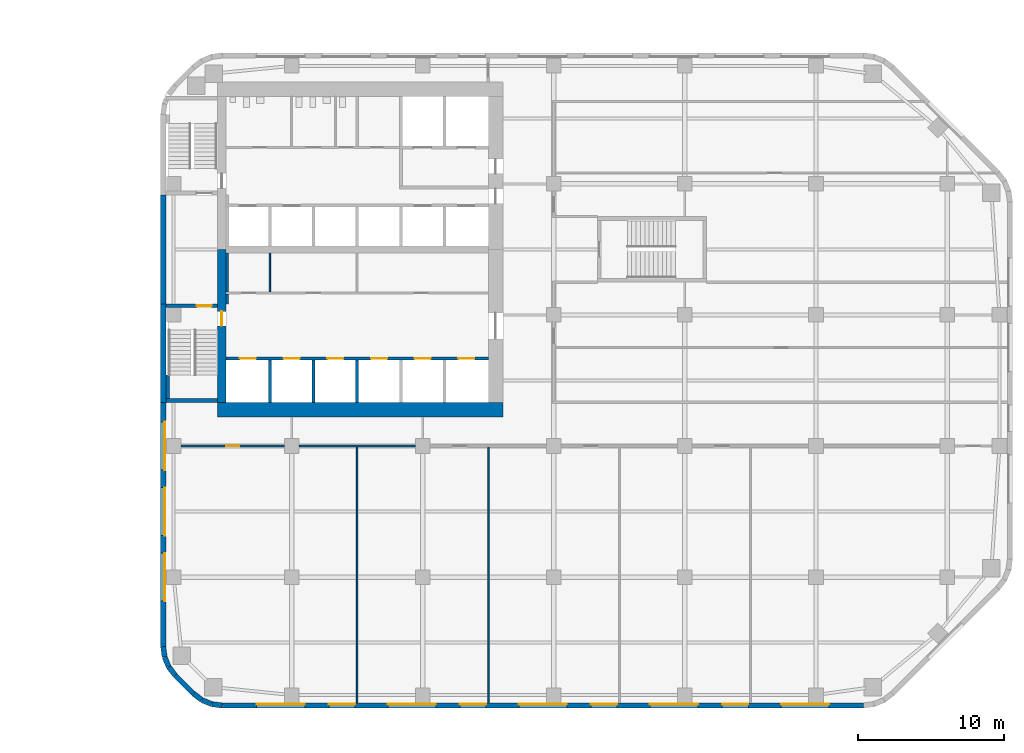
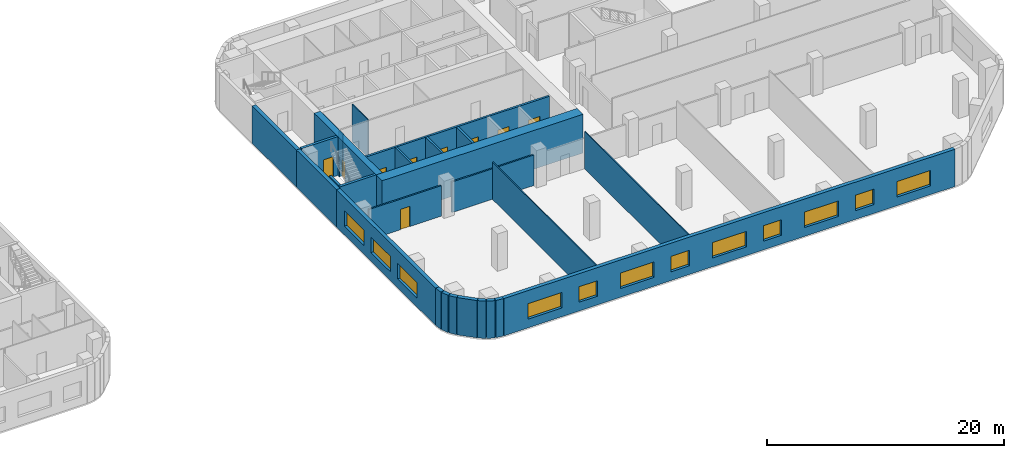
# One storey, part 8 of 15: 27 walls, 12 windows, 9 doors, 21 openings.
"""IFC4 building model written with IfcOpenShell, lengths in metres."""

from ifc_helpers import new_model, si_unit, direction, frame, frame_2d, origin, place, context, subcontext, project, spatial, rectangle, extrude, material, layer, layer_set, type_object, element, fill, save


model = new_model("IFC4")

# Units and contexts
model_context = context("Model", 3, precision=1e-05, world=origin(), true_north=direction((0.0, 1.0)))
body_context = subcontext(model_context, "Body", "Model", "MODEL_VIEW")
ifc_project = project(units=[si_unit("LENGTHUNIT", "METRE"), si_unit("AREAUNIT", "SQUARE_METRE"), si_unit("VOLUMEUNIT", "CUBIC_METRE"), si_unit("PLANEANGLEUNIT", "RADIAN"), si_unit("MASSUNIT", "GRAM", prefix="KILO")], contexts=[model_context])

# Site, building, storey
site_placement = place(None, origin())
site = spatial("IfcSite", under=ifc_project, at=site_placement, CompositionType="ELEMENT")
building_placement = place(site_placement, origin())
building = spatial("IfcBuilding", under=site, at=building_placement, Name="Cinnabar Reach Civic Tower", CompositionType="ELEMENT")
storey_placement = place(building_placement, frame((0.0, 0.0, 63.0)))
storey = spatial("IfcBuildingStorey", under=building, at=storey_placement, Name="L14", CompositionType="ELEMENT", Elevation=63.0)

# Walls
ifc_material_1 = material(Name="Facing brick with insulated backing", Category="masonry")
ifc_layer_1 = layer(ifc_material_1, 0.36)
ifc_layer_set_1 = layer_set([ifc_layer_1], Name="Brick corner wall")
wall_type_1 = type_object("IfcWallType", Name="Brick corner wall", PredefinedType="STANDARD", material=ifc_layer_set_1)
for number, where, z_axis, x_axis, name in (
    (1, (0.183, 4.2314, 0.0), (0.0, 0.0, 1.0), (0.13055608231, -0.99144092581, 0.0), "Brick corner wall"),
    (2, (0.2819, 3.5027, 0.0), (0.0, 0.0, 1.0), (0.382702709855, -0.923871547278, 0.0), "Brick corner wall"),
):
    element("IfcWall", number, at=place(storey_placement, frame(where, z_axis=z_axis, x_axis=x_axis)), inside=storey, type_object=wall_type_1, Name=name, PredefinedType="STANDARD", context=body_context, shape_type="SweptSolid", body=[
        extrude(rectangle(XDim=0.7131, YDim=0.36, at=frame_2d((0.3565, 0.0))), origin(), (0.0, 0.0, 1.0), 3.85),
    ])
for number, where, z_axis, x_axis, name in (
    (3, (0.566, 2.8245, 0.0), (0.0, 0.0, 1.0), (0.608802368033, -0.793321924995, 0.0), "Brick corner wall"),
    (4, (2.2587, 1.0002, 0.0), (0.0, 0.0, 1.0), (0.793321924995, -0.608802368033, 0.0), "Brick corner wall"),
):
    element("IfcWall", number, at=place(storey_placement, frame(where, z_axis=z_axis, x_axis=x_axis)), inside=storey, type_object=wall_type_1, Name=name, PredefinedType="STANDARD", context=body_context, shape_type="SweptSolid", body=[
        extrude(rectangle(XDim=0.7132, YDim=0.36, at=frame_2d((0.3566, 0.0))), origin(), (0.0, 0.0, 1.0), 3.85),
    ])
for number, where, z_axis, x_axis, name in (
    (5, (2.8439, 0.5548, 0.0), (0.0, 0.0, 1.0), (0.923871547278, -0.382702709855, 0.0), "Brick corner wall"),
    (6, (3.5244, 0.2761, 0.0), (0.0, 0.0, 1.0), (0.99144092581, -0.13055608231, 0.0), "Brick corner wall"),
):
    element("IfcWall", number, at=place(storey_placement, frame(where, z_axis=z_axis, x_axis=x_axis)), inside=storey, type_object=wall_type_1, Name=name, PredefinedType="STANDARD", context=body_context, shape_type="SweptSolid", body=[
        extrude(rectangle(XDim=0.7131, YDim=0.36, at=frame_2d((0.3565, 0.0))), origin(), (0.0, 0.0, 1.0), 3.85),
    ])

# Wall, openings, windows
ifc_layer_2 = layer(ifc_material_1, 0.36)
ifc_layer_set_2 = layer_set([ifc_layer_2], Name="Brick pier and spandrel wall")
wall_type_2 = type_object("IfcWallType", Name="Brick pier and spandrel wall", PredefinedType="STANDARD", material=ifc_layer_set_2)
wall_1_placement = place(storey_placement, frame((4.2426, 0.18, 0.0), z_axis=(0.0, 0.0, 1.0), x_axis=(1.0, 0.0, 0.0)))
wall_1 = element("IfcWall", 7, at=wall_1_placement, inside=storey, type_object=wall_type_2, Name="Brick facade wall", PredefinedType="STANDARD", context=body_context, shape_type="SweptSolid", body=[
    extrude(rectangle(XDim=44.0148, YDim=0.36, at=frame_2d((22.0074, 0.0))), origin(), (0.0, 0.0, 1.0), 3.85),
])
opening_1_placement = place(wall_1_placement, frame((2.3574, 0.0, 0.9)))
opening_1 = element("IfcOpeningElement", 8, at=opening_1_placement, cuts=wall_1, Name="Opening W1240", PredefinedType="OPENING", context=body_context, shape_type="SweptSolid", body=[
    extrude(rectangle(XDim=3.3, YDim=1.6, at=frame_2d((1.65, 0.8))), frame((0.0, 0.19, 0.0), z_axis=(0.0, -1.0, 0.0), x_axis=(1.0, 0.0, 0.0)), (0.0, 0.0, 1.0), 0.38),
])
opening_2_placement = place(wall_1_placement, frame((7.3074, 0.0, 0.9)))
opening_2 = element("IfcOpeningElement", 9, at=opening_2_placement, cuts=wall_1, Name="Opening W1241", PredefinedType="OPENING", context=body_context, shape_type="SweptSolid", body=[
    extrude(rectangle(XDim=1.8, YDim=1.6, at=frame_2d((0.9, 0.8))), frame((0.0, 0.19, 0.0), z_axis=(0.0, -1.0, 0.0), x_axis=(1.0, 0.0, 0.0)), (0.0, 0.0, 1.0), 0.38),
])
opening_3_placement = place(wall_1_placement, frame((11.3574, 0.0, 0.9)))
opening_3 = element("IfcOpeningElement", 10, at=opening_3_placement, cuts=wall_1, Name="Opening W1242", PredefinedType="OPENING", context=body_context, shape_type="SweptSolid", body=[
    extrude(rectangle(XDim=3.3, YDim=1.6, at=frame_2d((1.65, 0.8))), frame((0.0, 0.19, 0.0), z_axis=(0.0, -1.0, 0.0), x_axis=(1.0, 0.0, 0.0)), (0.0, 0.0, 1.0), 0.38),
])
opening_4_placement = place(wall_1_placement, frame((16.3074, 0.0, 0.9)))
opening_4 = element("IfcOpeningElement", 11, at=opening_4_placement, cuts=wall_1, Name="Opening W1243", PredefinedType="OPENING", context=body_context, shape_type="SweptSolid", body=[
    extrude(rectangle(XDim=1.8, YDim=1.6, at=frame_2d((0.9, 0.8))), frame((0.0, 0.19, 0.0), z_axis=(0.0, -1.0, 0.0), x_axis=(1.0, 0.0, 0.0)), (0.0, 0.0, 1.0), 0.38),
])
opening_5_placement = place(wall_1_placement, frame((20.3574, 0.0, 0.9)))
opening_5 = element("IfcOpeningElement", 12, at=opening_5_placement, cuts=wall_1, Name="Opening W1244", PredefinedType="OPENING", context=body_context, shape_type="SweptSolid", body=[
    extrude(rectangle(XDim=3.3, YDim=1.6, at=frame_2d((1.65, 0.8))), frame((0.0, 0.19, 0.0), z_axis=(0.0, -1.0, 0.0), x_axis=(1.0, 0.0, 0.0)), (0.0, 0.0, 1.0), 0.38),
])
opening_6_placement = place(wall_1_placement, frame((25.3074, 0.0, 0.9)))
opening_6 = element("IfcOpeningElement", 13, at=opening_6_placement, cuts=wall_1, Name="Opening W1245", PredefinedType="OPENING", context=body_context, shape_type="SweptSolid", body=[
    extrude(rectangle(XDim=1.8, YDim=1.6, at=frame_2d((0.9, 0.8))), frame((0.0, 0.19, 0.0), z_axis=(0.0, -1.0, 0.0), x_axis=(1.0, 0.0, 0.0)), (0.0, 0.0, 1.0), 0.38),
])
opening_7_placement = place(wall_1_placement, frame((29.3574, 0.0, 0.9)))
opening_7 = element("IfcOpeningElement", 14, at=opening_7_placement, cuts=wall_1, Name="Opening W1246", PredefinedType="OPENING", context=body_context, shape_type="SweptSolid", body=[
    extrude(rectangle(XDim=3.3, YDim=1.6, at=frame_2d((1.65, 0.8))), frame((0.0, 0.19, 0.0), z_axis=(0.0, -1.0, 0.0), x_axis=(1.0, 0.0, 0.0)), (0.0, 0.0, 1.0), 0.38),
])
opening_8_placement = place(wall_1_placement, frame((34.3074, 0.0, 0.9)))
opening_8 = element("IfcOpeningElement", 15, at=opening_8_placement, cuts=wall_1, Name="Opening W1247", PredefinedType="OPENING", context=body_context, shape_type="SweptSolid", body=[
    extrude(rectangle(XDim=1.8, YDim=1.6, at=frame_2d((0.9, 0.8))), frame((0.0, 0.19, 0.0), z_axis=(0.0, -1.0, 0.0), x_axis=(1.0, 0.0, 0.0)), (0.0, 0.0, 1.0), 0.38),
])
opening_9_placement = place(wall_1_placement, frame((38.3574, 0.0, 0.9)))
opening_9 = element("IfcOpeningElement", 16, at=opening_9_placement, cuts=wall_1, Name="Opening W1248", PredefinedType="OPENING", context=body_context, shape_type="SweptSolid", body=[
    extrude(rectangle(XDim=3.3, YDim=1.6, at=frame_2d((1.65, 0.8))), frame((0.0, 0.19, 0.0), z_axis=(0.0, -1.0, 0.0), x_axis=(1.0, 0.0, 0.0)), (0.0, 0.0, 1.0), 0.38),
])
ifc_material_2 = material(Name="Clear double glazing in aluminium frame", Category="aluminium")
window_type_1 = type_object("IfcWindowType", Name="Deep-set window A", PartitioningType="SINGLE_PANEL", PredefinedType="WINDOW", material=ifc_material_2)
window_1_placement = place(opening_1_placement, origin())
window_1 = element("IfcWindow", 17, at=window_1_placement, inside=storey, type_object=window_type_1, Name="Window south face", OverallHeight=1.6, OverallWidth=3.3, PartitioningType="SINGLE_PANEL", PredefinedType="WINDOW", context=body_context, shape_type="SweptSolid", body=[
    extrude(rectangle(XDim=3.3, YDim=1.6, at=frame_2d((1.65, 0.8))), frame((0.0, 0.13, 0.0), z_axis=(0.0, -1.0, 0.0), x_axis=(1.0, 0.0, 0.0)), (0.0, 0.0, 1.0), 0.06),
])
fill(opening_1, window_1)
window_2_placement = place(opening_3_placement, origin())
window_2 = element("IfcWindow", 18, at=window_2_placement, inside=storey, type_object=window_type_1, Name="Window south face", OverallHeight=1.6, OverallWidth=3.3, PartitioningType="SINGLE_PANEL", PredefinedType="WINDOW", context=body_context, shape_type="SweptSolid", body=[
    extrude(rectangle(XDim=3.3, YDim=1.6, at=frame_2d((1.65, 0.8))), frame((0.0, 0.13, 0.0), z_axis=(0.0, -1.0, 0.0), x_axis=(1.0, 0.0, 0.0)), (0.0, 0.0, 1.0), 0.06),
])
fill(opening_3, window_2)
window_3_placement = place(opening_5_placement, origin())
window_3 = element("IfcWindow", 19, at=window_3_placement, inside=storey, type_object=window_type_1, Name="Window south face", OverallHeight=1.6, OverallWidth=3.3, PartitioningType="SINGLE_PANEL", PredefinedType="WINDOW", context=body_context, shape_type="SweptSolid", body=[
    extrude(rectangle(XDim=3.3, YDim=1.6, at=frame_2d((1.65, 0.8))), frame((0.0, 0.13, 0.0), z_axis=(0.0, -1.0, 0.0), x_axis=(1.0, 0.0, 0.0)), (0.0, 0.0, 1.0), 0.06),
])
fill(opening_5, window_3)
window_4_placement = place(opening_7_placement, origin())
window_4 = element("IfcWindow", 20, at=window_4_placement, inside=storey, type_object=window_type_1, Name="Window south face", OverallHeight=1.6, OverallWidth=3.3, PartitioningType="SINGLE_PANEL", PredefinedType="WINDOW", context=body_context, shape_type="SweptSolid", body=[
    extrude(rectangle(XDim=3.3, YDim=1.6, at=frame_2d((1.65, 0.8))), frame((0.0, 0.13, 0.0), z_axis=(0.0, -1.0, 0.0), x_axis=(1.0, 0.0, 0.0)), (0.0, 0.0, 1.0), 0.06),
])
fill(opening_7, window_4)
window_5_placement = place(opening_9_placement, origin())
window_5 = element("IfcWindow", 21, at=window_5_placement, inside=storey, type_object=window_type_1, Name="Window south face", OverallHeight=1.6, OverallWidth=3.3, PartitioningType="SINGLE_PANEL", PredefinedType="WINDOW", context=body_context, shape_type="SweptSolid", body=[
    extrude(rectangle(XDim=3.3, YDim=1.6, at=frame_2d((1.65, 0.8))), frame((0.0, 0.13, 0.0), z_axis=(0.0, -1.0, 0.0), x_axis=(1.0, 0.0, 0.0)), (0.0, 0.0, 1.0), 0.06),
])
fill(opening_9, window_5)
window_type_2 = type_object("IfcWindowType", Name="Deep-set window D", PartitioningType="SINGLE_PANEL", PredefinedType="WINDOW", material=ifc_material_2)
window_6_placement = place(opening_2_placement, origin())
window_6 = element("IfcWindow", 22, at=window_6_placement, inside=storey, type_object=window_type_2, Name="Window south face", OverallHeight=1.6, OverallWidth=1.8, PartitioningType="SINGLE_PANEL", PredefinedType="WINDOW", context=body_context, shape_type="SweptSolid", body=[
    extrude(rectangle(XDim=1.8, YDim=1.6, at=frame_2d((0.9, 0.8))), frame((0.0, 0.13, 0.0), z_axis=(0.0, -1.0, 0.0), x_axis=(1.0, 0.0, 0.0)), (0.0, 0.0, 1.0), 0.06),
])
fill(opening_2, window_6)
window_7_placement = place(opening_4_placement, origin())
window_7 = element("IfcWindow", 23, at=window_7_placement, inside=storey, type_object=window_type_2, Name="Window south face", OverallHeight=1.6, OverallWidth=1.8, PartitioningType="SINGLE_PANEL", PredefinedType="WINDOW", context=body_context, shape_type="SweptSolid", body=[
    extrude(rectangle(XDim=1.8, YDim=1.6, at=frame_2d((0.9, 0.8))), frame((0.0, 0.13, 0.0), z_axis=(0.0, -1.0, 0.0), x_axis=(1.0, 0.0, 0.0)), (0.0, 0.0, 1.0), 0.06),
])
fill(opening_4, window_7)
window_8_placement = place(opening_6_placement, origin())
window_8 = element("IfcWindow", 24, at=window_8_placement, inside=storey, type_object=window_type_2, Name="Window south face", OverallHeight=1.6, OverallWidth=1.8, PartitioningType="SINGLE_PANEL", PredefinedType="WINDOW", context=body_context, shape_type="SweptSolid", body=[
    extrude(rectangle(XDim=1.8, YDim=1.6, at=frame_2d((0.9, 0.8))), frame((0.0, 0.13, 0.0), z_axis=(0.0, -1.0, 0.0), x_axis=(1.0, 0.0, 0.0)), (0.0, 0.0, 1.0), 0.06),
])
fill(opening_6, window_8)
window_9_placement = place(opening_8_placement, origin())
window_9 = element("IfcWindow", 25, at=window_9_placement, inside=storey, type_object=window_type_2, Name="Window south face", OverallHeight=1.6, OverallWidth=1.8, PartitioningType="SINGLE_PANEL", PredefinedType="WINDOW", context=body_context, shape_type="SweptSolid", body=[
    extrude(rectangle(XDim=1.8, YDim=1.6, at=frame_2d((0.9, 0.8))), frame((0.0, 0.13, 0.0), z_axis=(0.0, -1.0, 0.0), x_axis=(1.0, 0.0, 0.0)), (0.0, 0.0, 1.0), 0.06),
])
fill(opening_8, window_9)

# Walls
wall_2_placement = place(storey_placement, frame((0.18, 35.25, 0.0), z_axis=(0.0, 0.0, 1.0), x_axis=(0.0, -1.0, 0.0)))
element("IfcWall", 26, at=wall_2_placement, inside=storey, type_object=wall_type_2, Name="Brick facade wall", PredefinedType="STANDARD", context=body_context, shape_type="SweptSolid", body=[
    extrude(rectangle(XDim=7.5, YDim=0.36, at=frame_2d((3.75, 0.0))), origin(), (0.0, 0.0, 1.0), 3.85),
])
wall_3_placement = place(storey_placement, frame((0.18, 27.75, 0.0), z_axis=(0.0, 0.0, 1.0), x_axis=(0.0, -1.0, 0.0)))
element("IfcWall", 27, at=wall_3_placement, inside=storey, type_object=wall_type_2, Name="Brick facade wall", PredefinedType="STANDARD", context=body_context, shape_type="SweptSolid", body=[
    extrude(rectangle(XDim=6.75, YDim=0.36, at=frame_2d((3.375, 0.0))), origin(), (0.0, 0.0, 1.0), 3.85),
])

# Wall, openings, windows
wall_4_placement = place(storey_placement, frame((0.18, 21.0, 0.0), z_axis=(0.0, 0.0, 1.0), x_axis=(0.0, -1.0, 0.0)))
wall_4 = element("IfcWall", 28, at=wall_4_placement, inside=storey, type_object=wall_type_2, Name="Brick facade wall", PredefinedType="STANDARD", context=body_context, shape_type="SweptSolid", body=[
    extrude(rectangle(XDim=16.7574, YDim=0.36, at=frame_2d((8.3787, 0.0))), origin(), (0.0, 0.0, 1.0), 3.85),
])
opening_10_placement = place(wall_4_placement, frame((1.35, 0.0, 0.9)))
opening_10 = element("IfcOpeningElement", 29, at=opening_10_placement, cuts=wall_4, Name="Opening W1264", PredefinedType="OPENING", context=body_context, shape_type="SweptSolid", body=[
    extrude(rectangle(XDim=3.3, YDim=1.6, at=frame_2d((1.65, 0.8))), frame((0.0, 0.19, 0.0), z_axis=(0.0, -1.0, 0.0), x_axis=(1.0, 0.0, 0.0)), (0.0, 0.0, 1.0), 0.38),
])
opening_11_placement = place(wall_4_placement, frame((5.85, 0.0, 0.9)))
opening_11 = element("IfcOpeningElement", 30, at=opening_11_placement, cuts=wall_4, Name="Opening W1265", PredefinedType="OPENING", context=body_context, shape_type="SweptSolid", body=[
    extrude(rectangle(XDim=3.3, YDim=1.6, at=frame_2d((1.65, 0.8))), frame((0.0, 0.19, 0.0), z_axis=(0.0, -1.0, 0.0), x_axis=(1.0, 0.0, 0.0)), (0.0, 0.0, 1.0), 0.38),
])
opening_12_placement = place(wall_4_placement, frame((10.35, 0.0, 0.9)))
opening_12 = element("IfcOpeningElement", 31, at=opening_12_placement, cuts=wall_4, Name="Opening W1266", PredefinedType="OPENING", context=body_context, shape_type="SweptSolid", body=[
    extrude(rectangle(XDim=3.3, YDim=1.6, at=frame_2d((1.65, 0.8))), frame((0.0, 0.19, 0.0), z_axis=(0.0, -1.0, 0.0), x_axis=(1.0, 0.0, 0.0)), (0.0, 0.0, 1.0), 0.38),
])
window_10_placement = place(opening_10_placement, origin())
window_10 = element("IfcWindow", 32, at=window_10_placement, inside=storey, type_object=window_type_1, Name="Window west face", OverallHeight=1.6, OverallWidth=3.3, PartitioningType="SINGLE_PANEL", PredefinedType="WINDOW", context=body_context, shape_type="SweptSolid", body=[
    extrude(rectangle(XDim=3.3, YDim=1.6, at=frame_2d((1.65, 0.8))), frame((0.0, 0.13, 0.0), z_axis=(0.0, -1.0, 0.0), x_axis=(1.0, 0.0, 0.0)), (0.0, 0.0, 1.0), 0.06),
])
fill(opening_10, window_10)
window_11_placement = place(opening_11_placement, origin())
window_11 = element("IfcWindow", 33, at=window_11_placement, inside=storey, type_object=window_type_1, Name="Window west face", OverallHeight=1.6, OverallWidth=3.3, PartitioningType="SINGLE_PANEL", PredefinedType="WINDOW", context=body_context, shape_type="SweptSolid", body=[
    extrude(rectangle(XDim=3.3, YDim=1.6, at=frame_2d((1.65, 0.8))), frame((0.0, 0.13, 0.0), z_axis=(0.0, -1.0, 0.0), x_axis=(1.0, 0.0, 0.0)), (0.0, 0.0, 1.0), 0.06),
])
fill(opening_11, window_11)
window_12_placement = place(opening_12_placement, origin())
window_12 = element("IfcWindow", 34, at=window_12_placement, inside=storey, type_object=window_type_1, Name="Window west face", OverallHeight=1.6, OverallWidth=3.3, PartitioningType="SINGLE_PANEL", PredefinedType="WINDOW", context=body_context, shape_type="SweptSolid", body=[
    extrude(rectangle(XDim=3.3, YDim=1.6, at=frame_2d((1.65, 0.8))), frame((0.0, 0.13, 0.0), z_axis=(0.0, -1.0, 0.0), x_axis=(1.0, 0.0, 0.0)), (0.0, 0.0, 1.0), 0.06),
])
fill(opening_12, window_12)

# Walls
wall_5_placement = place(storey_placement, frame((1.006, 2.2486, 0.0), z_axis=(0.0, 0.0, 1.0), x_axis=(0.707106781187, -0.707106781187, 0.0)))
element("IfcWall", 35, at=wall_5_placement, inside=storey, type_object=wall_type_2, Name="Brick facade wall", PredefinedType="STANDARD", context=body_context, shape_type="SweptSolid", body=[
    extrude(rectangle(XDim=1.7573, YDim=0.36, at=frame_2d((0.8787, 0.0))), origin(), (0.0, 0.0, 1.0), 3.85),
])
ifc_material_3 = material(Name="Concrete C70", Category="concrete")
ifc_layer_3 = layer(ifc_material_3, 1.0)
ifc_layer_set_3 = layer_set([ifc_layer_3], Name="Core wall 1000 EI 180")
wall_type_3 = type_object("IfcWallType", Name="Core wall 1000 EI 180", PredefinedType="SOLIDWALL", material=ifc_layer_set_3)
wall_6_placement = place(storey_placement, frame((3.9, 20.5, 0.0), z_axis=(0.0, 0.0, 1.0), x_axis=(1.0, 0.0, 0.0)))
element("IfcWall", 36, at=wall_6_placement, inside=storey, type_object=wall_type_3, Name="Core wall T1 L14 S", PredefinedType="SOLIDWALL", context=body_context, shape_type="SweptSolid", body=[
    extrude(rectangle(XDim=19.6, YDim=1.0, at=frame_2d((9.8, 0.0))), origin(), (0.0, 0.0, 1.0), 4.0),
])

# Wall, opening, door
ifc_layer_4 = layer(ifc_material_3, 0.6)
ifc_layer_set_4 = layer_set([ifc_layer_4], Name="Core wall 600 EI 180")
wall_type_4 = type_object("IfcWallType", Name="Core wall 600 EI 180", PredefinedType="SOLIDWALL", material=ifc_layer_set_4)
wall_7_placement = place(storey_placement, frame((4.2, 31.5, 0.0), z_axis=(0.0, 0.0, 1.0), x_axis=(0.0, -1.0, 0.0)))
wall_7 = element("IfcWall", 37, at=wall_7_placement, inside=storey, type_object=wall_type_4, Name="Core wall T1 L14 W2", PredefinedType="SOLIDWALL", context=body_context, shape_type="SweptSolid", body=[
    extrude(rectangle(XDim=10.5, YDim=0.6, at=frame_2d((5.25, 0.0))), origin(), (0.0, 0.0, 1.0), 4.0),
])
opening_13_placement = place(wall_7_placement, frame((4.25, 0.0, 0.0)))
opening_13 = element("IfcOpeningElement", 38, at=opening_13_placement, cuts=wall_7, Name="Opening D3558", PredefinedType="OPENING", context=body_context, shape_type="SweptSolid", body=[
    extrude(rectangle(XDim=1.0, YDim=2.1, at=frame_2d((0.5, 1.05))), frame((0.0, 0.31, 0.0), z_axis=(0.0, -1.0, 0.0), x_axis=(1.0, 0.0, 0.0)), (0.0, 0.0, 1.0), 0.62),
])
ifc_material_4 = material(Name="Timber door leaf in steel frame", Category="steel")
door_type_1 = type_object("IfcDoorType", Name="Stair door 1000 x 2100 T1", OperationType="SINGLE_SWING_LEFT", PredefinedType="DOOR", material=ifc_material_4)
door_1_placement = place(opening_13_placement, frame((1.0, 0.0, 0.0), z_axis=(0.0, 0.0, 1.0), x_axis=(-1.0, 0.0, 0.0)))
door_1 = element("IfcDoor", 39, at=door_1_placement, inside=storey, type_object=door_type_1, Name="Door D3558", OperationType="SINGLE_SWING_RIGHT", OverallHeight=2.1, OverallWidth=1.0, PredefinedType="DOOR", context=body_context, shape_type="SweptSolid", body=[
    extrude(rectangle(XDim=1.0, YDim=2.1, at=frame_2d((0.5, 1.05))), frame((0.0, 0.025, 0.0), z_axis=(0.0, -1.0, 0.0), x_axis=(1.0, 0.0, 0.0)), (0.0, 0.0, 1.0), 0.05),
])
fill(opening_13, door_1)

# Wall
ifc_material_5 = material(Name="Gypsum board on steel studs, double layer", Category="steel")
ifc_layer_5 = layer(ifc_material_5, 0.15)
ifc_layer_set_5 = layer_set([ifc_layer_5], Name="Corridor wall 150 T1")
wall_type_5 = type_object("IfcWallType", Name="Corridor wall 150 T1", PredefinedType="PARTITIONING", material=ifc_layer_set_5)
wall_8_placement = place(storey_placement, frame((9.5, 18.0, 0.0), z_axis=(0.0, 0.0, 1.0), x_axis=(1.0, 0.0, 0.0)))
element("IfcWall", 40, at=wall_8_placement, inside=storey, type_object=wall_type_5, Name="Corridor wall 24", PredefinedType="PARTITIONING", context=body_context, shape_type="SweptSolid", body=[
    extrude(rectangle(XDim=8.0, YDim=0.15, at=frame_2d((4.0, 0.0))), origin(), (0.0, 0.0, 1.0), 3.15),
])

# Wall, opening, door
wall_9_placement = place(storey_placement, frame((1.4, 18.0, 0.0), z_axis=(0.0, 0.0, 1.0), x_axis=(1.0, 0.0, 0.0)))
wall_9 = element("IfcWall", 41, at=wall_9_placement, inside=storey, type_object=wall_type_5, Name="Corridor wall 25", PredefinedType="PARTITIONING", context=body_context, shape_type="SweptSolid", body=[
    extrude(rectangle(XDim=7.1, YDim=0.15, at=frame_2d((3.55, 0.0))), origin(), (0.0, 0.0, 1.0), 3.15),
])
opening_14_placement = place(wall_9_placement, frame((3.1, 0.0, 0.0)))
opening_14 = element("IfcOpeningElement", 42, at=opening_14_placement, cuts=wall_9, Name="Opening D3589", PredefinedType="OPENING", context=body_context, shape_type="SweptSolid", body=[
    extrude(rectangle(XDim=0.9, YDim=2.1, at=frame_2d((0.45, 1.05))), frame((0.0, 0.085, 0.0), z_axis=(0.0, -1.0, 0.0), x_axis=(1.0, 0.0, 0.0)), (0.0, 0.0, 1.0), 0.17),
])
door_type_2 = type_object("IfcDoorType", Name="Single swing door 900 x 2100 corridor T1", OperationType="SINGLE_SWING_LEFT", PredefinedType="DOOR", material=ifc_material_4)
door_2_placement = place(opening_14_placement, frame((0.9, 0.0, 0.0), z_axis=(0.0, 0.0, 1.0), x_axis=(-1.0, 0.0, 0.0)))
door_2 = element("IfcDoor", 43, at=door_2_placement, inside=storey, type_object=door_type_2, Name="Door D3589", OperationType="SINGLE_SWING_RIGHT", OverallHeight=2.1, OverallWidth=0.9, PredefinedType="DOOR", context=body_context, shape_type="SweptSolid", body=[
    extrude(rectangle(XDim=0.9, YDim=2.1, at=frame_2d((0.45, 1.05))), frame((0.0, 0.025, 0.0), z_axis=(0.0, -1.0, 0.0), x_axis=(1.0, 0.0, 0.0)), (0.0, 0.0, 1.0), 0.05),
])
fill(opening_14, door_2)

# Walls
wall_10_placement = place(storey_placement, frame((4.575, 27.75, 0.0), z_axis=(0.0, 0.0, 1.0), x_axis=(0.0, 1.0, 0.0)))
element("IfcWall", 44, at=wall_10_placement, inside=storey, type_object=wall_type_5, Name="Corridor wall 34", PredefinedType="PARTITIONING", context=body_context, shape_type="SweptSolid", body=[
    extrude(rectangle(XDim=0.675, YDim=0.15, at=frame_2d((0.3375, 0.0))), origin(), (0.0, 0.0, 1.0), 3.85),
])
wall_11_placement = place(storey_placement, frame((4.575, 28.575, 0.0), z_axis=(0.0, 0.0, 1.0), x_axis=(0.0, 1.0, 0.0)))
element("IfcWall", 45, at=wall_11_placement, inside=storey, type_object=wall_type_5, Name="Corridor wall 35", PredefinedType="PARTITIONING", context=body_context, shape_type="SweptSolid", body=[
    extrude(rectangle(XDim=2.675, YDim=0.15, at=frame_2d((1.3375, 0.0))), origin(), (0.0, 0.0, 1.0), 3.85),
])

# Wall, openings, doors
ifc_material_6 = material(Name="Blockwork", Category="masonry")
ifc_layer_6 = layer(ifc_material_6, 0.2)
ifc_layer_set_6 = layer_set([ifc_layer_6], Name="Lift shaft wall 200 T1")
wall_type_6 = type_object("IfcWallType", Name="Lift shaft wall 200 T1", PredefinedType="PARTITIONING", material=ifc_layer_set_6)
wall_12_placement = place(storey_placement, frame((4.5, 24.0, 0.0), z_axis=(0.0, 0.0, 1.0), x_axis=(1.0, 0.0, 0.0)))
wall_12 = element("IfcWall", 46, at=wall_12_placement, inside=storey, type_object=wall_type_6, Name="Lift shaft wall 4", PredefinedType="PARTITIONING", context=body_context, shape_type="SweptSolid", body=[
    extrude(rectangle(XDim=18.0, YDim=0.2, at=frame_2d((9.0, 0.0))), origin(), (0.0, 0.0, 1.0), 3.85),
])
opening_15_placement = place(wall_12_placement, frame((0.95, 0.0, 0.0)))
opening_15 = element("IfcOpeningElement", 47, at=opening_15_placement, cuts=wall_12, Name="Opening D3562", PredefinedType="OPENING", context=body_context, shape_type="SweptSolid", body=[
    extrude(rectangle(XDim=1.1, YDim=2.1, at=frame_2d((0.55, 1.05))), frame((0.0, 0.11, 0.0), z_axis=(0.0, -1.0, 0.0), x_axis=(1.0, 0.0, 0.0)), (0.0, 0.0, 1.0), 0.22),
])
opening_16_placement = place(wall_12_placement, frame((3.95, 0.0, 0.0)))
opening_16 = element("IfcOpeningElement", 48, at=opening_16_placement, cuts=wall_12, Name="Opening D3563", PredefinedType="OPENING", context=body_context, shape_type="SweptSolid", body=[
    extrude(rectangle(XDim=1.1, YDim=2.1, at=frame_2d((0.55, 1.05))), frame((0.0, 0.11, 0.0), z_axis=(0.0, -1.0, 0.0), x_axis=(1.0, 0.0, 0.0)), (0.0, 0.0, 1.0), 0.22),
])
opening_17_placement = place(wall_12_placement, frame((6.95, 0.0, 0.0)))
opening_17 = element("IfcOpeningElement", 49, at=opening_17_placement, cuts=wall_12, Name="Opening D3564", PredefinedType="OPENING", context=body_context, shape_type="SweptSolid", body=[
    extrude(rectangle(XDim=1.1, YDim=2.1, at=frame_2d((0.55, 1.05))), frame((0.0, 0.11, 0.0), z_axis=(0.0, -1.0, 0.0), x_axis=(1.0, 0.0, 0.0)), (0.0, 0.0, 1.0), 0.22),
])
opening_18_placement = place(wall_12_placement, frame((9.95, 0.0, 0.0)))
opening_18 = element("IfcOpeningElement", 50, at=opening_18_placement, cuts=wall_12, Name="Opening D3565", PredefinedType="OPENING", context=body_context, shape_type="SweptSolid", body=[
    extrude(rectangle(XDim=1.1, YDim=2.1, at=frame_2d((0.55, 1.05))), frame((0.0, 0.11, 0.0), z_axis=(0.0, -1.0, 0.0), x_axis=(1.0, 0.0, 0.0)), (0.0, 0.0, 1.0), 0.22),
])
opening_19_placement = place(wall_12_placement, frame((12.95, 0.0, 0.0)))
opening_19 = element("IfcOpeningElement", 51, at=opening_19_placement, cuts=wall_12, Name="Opening D3566", PredefinedType="OPENING", context=body_context, shape_type="SweptSolid", body=[
    extrude(rectangle(XDim=1.1, YDim=2.1, at=frame_2d((0.55, 1.05))), frame((0.0, 0.11, 0.0), z_axis=(0.0, -1.0, 0.0), x_axis=(1.0, 0.0, 0.0)), (0.0, 0.0, 1.0), 0.22),
])
opening_20_placement = place(wall_12_placement, frame((15.95, 0.0, 0.0)))
opening_20 = element("IfcOpeningElement", 52, at=opening_20_placement, cuts=wall_12, Name="Opening D3567", PredefinedType="OPENING", context=body_context, shape_type="SweptSolid", body=[
    extrude(rectangle(XDim=1.1, YDim=2.1, at=frame_2d((0.55, 1.05))), frame((0.0, 0.11, 0.0), z_axis=(0.0, -1.0, 0.0), x_axis=(1.0, 0.0, 0.0)), (0.0, 0.0, 1.0), 0.22),
])
ifc_material_7 = material(Name="Stainless steel sliding door", Category="steel")
door_type_3 = type_object("IfcDoorType", Name="Lift landing door 1100 x 2100 T1", OperationType="SLIDING_TO_LEFT", PredefinedType="DOOR", material=ifc_material_7)
door_3_placement = place(opening_15_placement, origin())
door_3 = element("IfcDoor", 53, at=door_3_placement, inside=storey, type_object=door_type_3, Name="Lift landing door LR1 L14", OperationType="SLIDING_TO_LEFT", OverallHeight=2.1, OverallWidth=1.1, PredefinedType="DOOR", context=body_context, shape_type="SweptSolid", body=[
    extrude(rectangle(XDim=1.1, YDim=2.1, at=frame_2d((0.55, 1.05))), frame((0.0, 0.025, 0.0), z_axis=(0.0, -1.0, 0.0), x_axis=(1.0, 0.0, 0.0)), (0.0, 0.0, 1.0), 0.05),
])
fill(opening_15, door_3)
door_4_placement = place(opening_16_placement, origin())
door_4 = element("IfcDoor", 54, at=door_4_placement, inside=storey, type_object=door_type_3, Name="Lift landing door LR2 L14", OperationType="SLIDING_TO_LEFT", OverallHeight=2.1, OverallWidth=1.1, PredefinedType="DOOR", context=body_context, shape_type="SweptSolid", body=[
    extrude(rectangle(XDim=1.1, YDim=2.1, at=frame_2d((0.55, 1.05))), frame((0.0, 0.025, 0.0), z_axis=(0.0, -1.0, 0.0), x_axis=(1.0, 0.0, 0.0)), (0.0, 0.0, 1.0), 0.05),
])
fill(opening_16, door_4)
door_5_placement = place(opening_17_placement, origin())
door_5 = element("IfcDoor", 55, at=door_5_placement, inside=storey, type_object=door_type_3, Name="Lift landing door LR3 L14", OperationType="SLIDING_TO_LEFT", OverallHeight=2.1, OverallWidth=1.1, PredefinedType="DOOR", context=body_context, shape_type="SweptSolid", body=[
    extrude(rectangle(XDim=1.1, YDim=2.1, at=frame_2d((0.55, 1.05))), frame((0.0, 0.025, 0.0), z_axis=(0.0, -1.0, 0.0), x_axis=(1.0, 0.0, 0.0)), (0.0, 0.0, 1.0), 0.05),
])
fill(opening_17, door_5)
door_6_placement = place(opening_18_placement, origin())
door_6 = element("IfcDoor", 56, at=door_6_placement, inside=storey, type_object=door_type_3, Name="Lift landing door LR4 L14", OperationType="SLIDING_TO_LEFT", OverallHeight=2.1, OverallWidth=1.1, PredefinedType="DOOR", context=body_context, shape_type="SweptSolid", body=[
    extrude(rectangle(XDim=1.1, YDim=2.1, at=frame_2d((0.55, 1.05))), frame((0.0, 0.025, 0.0), z_axis=(0.0, -1.0, 0.0), x_axis=(1.0, 0.0, 0.0)), (0.0, 0.0, 1.0), 0.05),
])
fill(opening_18, door_6)
door_7_placement = place(opening_19_placement, origin())
door_7 = element("IfcDoor", 57, at=door_7_placement, inside=storey, type_object=door_type_3, Name="Lift landing door LR5 L14", OperationType="SLIDING_TO_LEFT", OverallHeight=2.1, OverallWidth=1.1, PredefinedType="DOOR", context=body_context, shape_type="SweptSolid", body=[
    extrude(rectangle(XDim=1.1, YDim=2.1, at=frame_2d((0.55, 1.05))), frame((0.0, 0.025, 0.0), z_axis=(0.0, -1.0, 0.0), x_axis=(1.0, 0.0, 0.0)), (0.0, 0.0, 1.0), 0.05),
])
fill(opening_19, door_7)
door_8_placement = place(opening_20_placement, origin())
door_8 = element("IfcDoor", 58, at=door_8_placement, inside=storey, type_object=door_type_3, Name="Lift landing door LR6 L14", OperationType="SLIDING_TO_LEFT", OverallHeight=2.1, OverallWidth=1.1, PredefinedType="DOOR", context=body_context, shape_type="SweptSolid", body=[
    extrude(rectangle(XDim=1.1, YDim=2.1, at=frame_2d((0.55, 1.05))), frame((0.0, 0.025, 0.0), z_axis=(0.0, -1.0, 0.0), x_axis=(1.0, 0.0, 0.0)), (0.0, 0.0, 1.0), 0.05),
])
fill(opening_20, door_8)

# Walls
for number, where, z_axis, x_axis, name in (
    (59, (7.5, 21.0, 0.0), (0.0, 0.0, 1.0), (0.0, 1.0, 0.0), "Lift shaft wall 9"),
    (60, (10.5, 21.0, 0.0), (0.0, 0.0, 1.0), (0.0, 1.0, 0.0), "Lift shaft wall 11"),
    (61, (13.5, 21.0, 0.0), (0.0, 0.0, 1.0), (0.0, 1.0, 0.0), "Lift shaft wall 13"),
):
    element("IfcWall", number, at=place(storey_placement, frame(where, z_axis=z_axis, x_axis=x_axis)), inside=storey, type_object=wall_type_6, Name=name, PredefinedType="PARTITIONING", context=body_context, shape_type="SweptSolid", body=[
        extrude(rectangle(XDim=2.9, YDim=0.2, at=frame_2d((1.45, 0.0))), origin(), (0.0, 0.0, 1.0), 3.85),
    ])
ifc_material_8 = material(Name="Gypsum board on steel studs", Category="steel")
ifc_layer_7 = layer(ifc_material_8, 0.1)
ifc_layer_set_7 = layer_set([ifc_layer_7], Name="Partition wall 100 T1")
wall_type_7 = type_object("IfcWallType", Name="Partition wall 100 T1", PredefinedType="PARTITIONING", material=ifc_layer_set_7)
for number, where, z_axis, x_axis, name in (
    (62, (13.5, 0.36, 0.0), (0.0, 0.0, 1.0), (0.0, 1.0, 0.0), "Partition wall 44"),
    (63, (22.5, 0.36, 0.0), (0.0, 0.0, 1.0), (0.0, 1.0, 0.0), "Partition wall 45"),
):
    element("IfcWall", number, at=place(storey_placement, frame(where, z_axis=z_axis, x_axis=x_axis)), inside=storey, type_object=wall_type_7, Name=name, PredefinedType="PARTITIONING", context=body_context, shape_type="SweptSolid", body=[
        extrude(rectangle(XDim=17.565, YDim=0.1, at=frame_2d((8.7825, 0.0))), origin(), (0.0, 0.0, 1.0), 3.85),
    ])
wall_13_placement = place(storey_placement, frame((7.5, 28.575, 0.0), z_axis=(0.0, 0.0, 1.0), x_axis=(0.0, 1.0, 0.0)))
element("IfcWall", 64, at=wall_13_placement, inside=storey, type_object=wall_type_7, Name="Partition wall 50", PredefinedType="PARTITIONING", context=body_context, shape_type="SweptSolid", body=[
    extrude(rectangle(XDim=2.675, YDim=0.1, at=frame_2d((1.3375, 0.0))), origin(), (0.0, 0.0, 1.0), 3.85),
])
ifc_material_9 = material(Name="Concrete C60", Category="concrete")
ifc_layer_8 = layer(ifc_material_9, 0.25)
ifc_layer_set_8 = layer_set([ifc_layer_8], Name="Stair shaft wall 250 EI 120")
wall_type_8 = type_object("IfcWallType", Name="Stair shaft wall 250 EI 120", PredefinedType="SOLIDWALL", material=ifc_layer_set_8)
wall_14_placement = place(storey_placement, frame((0.36, 21.125, 0.0), z_axis=(0.0, 0.0, 1.0), x_axis=(1.0, 0.0, 0.0)))
element("IfcWall", 65, at=wall_14_placement, inside=storey, type_object=wall_type_8, Name="Stair shaft wall T1-S1 L14", PredefinedType="SOLIDWALL", context=body_context, shape_type="SweptSolid", body=[
    extrude(rectangle(XDim=3.54, YDim=0.25, at=frame_2d((1.77, 0.0))), origin(), (0.0, 0.0, 1.0), 4.0),
])

# Wall, opening, door
wall_15_placement = place(storey_placement, frame((3.9, 27.625, 0.0), z_axis=(0.0, 0.0, 1.0), x_axis=(-1.0, 0.0, 0.0)))
wall_15 = element("IfcWall", 66, at=wall_15_placement, inside=storey, type_object=wall_type_8, Name="Stair shaft wall T1-S1 L14", PredefinedType="SOLIDWALL", context=body_context, shape_type="SweptSolid", body=[
    extrude(rectangle(XDim=3.54, YDim=0.25, at=frame_2d((1.77, 0.0))), origin(), (0.0, 0.0, 1.0), 4.0),
])
opening_21_placement = place(wall_15_placement, frame((0.4, 0.0, 0.0)))
opening_21 = element("IfcOpeningElement", 67, at=opening_21_placement, cuts=wall_15, Name="Opening D3559", PredefinedType="OPENING", context=body_context, shape_type="SweptSolid", body=[
    extrude(rectangle(XDim=1.0, YDim=2.1, at=frame_2d((0.5, 1.05))), frame((0.0, 0.135, 0.0), z_axis=(0.0, -1.0, 0.0), x_axis=(1.0, 0.0, 0.0)), (0.0, 0.0, 1.0), 0.27),
])
door_9_placement = place(opening_21_placement, origin())
door_9 = element("IfcDoor", 68, at=door_9_placement, inside=storey, type_object=door_type_1, Name="Door D3559", OperationType="SINGLE_SWING_LEFT", OverallHeight=2.1, OverallWidth=1.0, PredefinedType="DOOR", context=body_context, shape_type="SweptSolid", body=[
    extrude(rectangle(XDim=1.0, YDim=2.1, at=frame_2d((0.5, 1.05))), frame((0.0, 0.025, 0.0), z_axis=(0.0, -1.0, 0.0), x_axis=(1.0, 0.0, 0.0)), (0.0, 0.0, 1.0), 0.05),
])
fill(opening_21, door_9)

# Wall
ifc_material_10 = material(Name="Concrete C40/50", Category="concrete")
ifc_layer_9 = layer(ifc_material_10, 0.24)
ifc_layer_set_9 = layer_set([ifc_layer_9], Name="T1 landing bearer wall 240")
wall_type_9 = type_object("IfcWallType", Name="T1 landing bearer wall 240", PredefinedType="STANDARD", material=ifc_layer_set_9)
wall_16_placement = place(storey_placement, frame((0.48, 21.25, 0.0), z_axis=(0.0, 0.0, 1.0), x_axis=(0.0, 1.0, 0.0)))
element("IfcWall", 69, at=wall_16_placement, inside=storey, type_object=wall_type_9, Name="T1-S1 landing bearer wall", PredefinedType="STANDARD", context=body_context, shape_type="SweptSolid", body=[
    extrude(rectangle(XDim=1.62, YDim=0.24, at=frame_2d((0.81, 0.0))), origin(), (0.0, 0.0, 1.0), 4.0),
])

save(model, "model.ifc")
